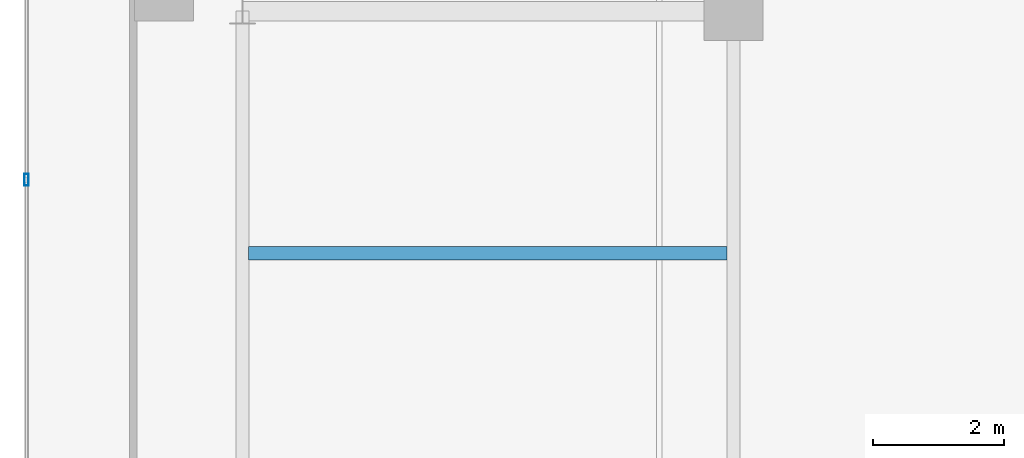
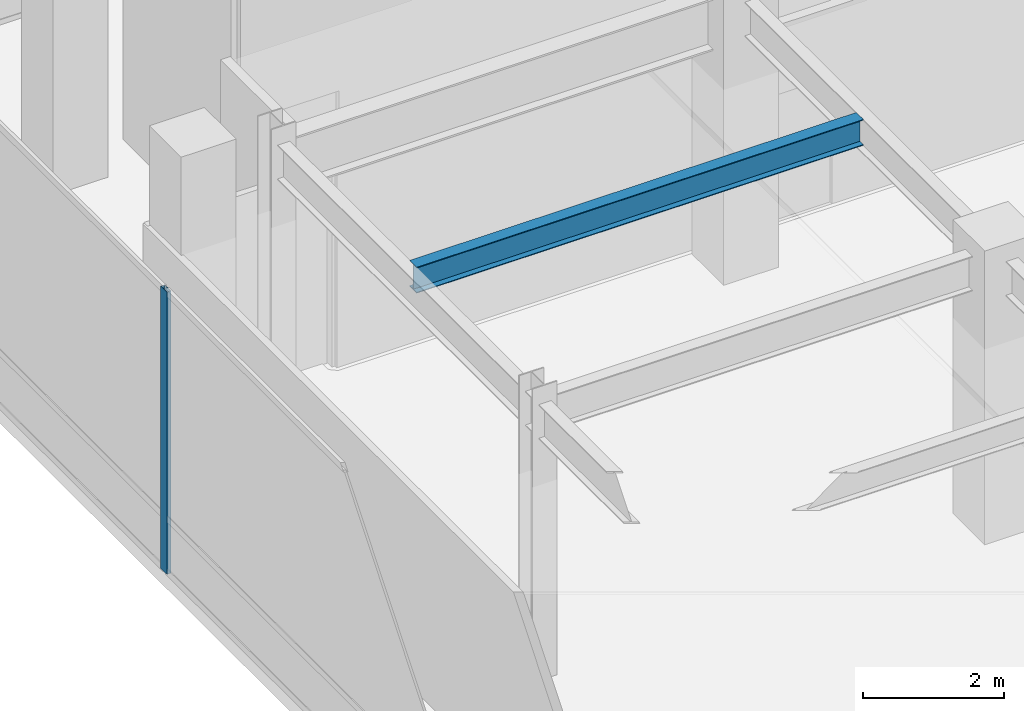
# One storey, part 11 of 40: 1 beam, 1 member, 1 element without a shape of its own.
"""IFC4 building model written with IfcOpenShell, lengths in metres."""

from ifc_helpers import new_model, si_unit, direction, frame, origin, origin_2d, place, context, subcontext, project, spatial, hollow_rectangle, i_section, extrude, material, layer, layer_set, material_profile, profile_set, type_object, element, aggregate, save


model = new_model("IFC4")

# Units and contexts
model_context = context("Model", 3, precision=1e-05, world=origin(), true_north=direction((0.0, 1.0)))
body_context = subcontext(model_context, "Body", "Model", "MODEL_VIEW")
ifc_project = project(units=[si_unit("LENGTHUNIT", "METRE"), si_unit("AREAUNIT", "SQUARE_METRE"), si_unit("VOLUMEUNIT", "CUBIC_METRE"), si_unit("PLANEANGLEUNIT", "RADIAN"), si_unit("MASSUNIT", "GRAM", prefix="KILO")], contexts=[model_context])

# Site, building, storey
site_placement = place(None, origin())
site = spatial("IfcSite", under=ifc_project, at=site_placement, CompositionType="ELEMENT")
building_placement = place(site_placement, origin())
building = spatial("IfcBuilding", under=site, at=building_placement, Name="Qianvela Tower", CompositionType="ELEMENT")
storey_placement = place(building_placement, frame((0.0, 0.0, 20.60009765625)))
storey = spatial("IfcBuildingStorey", under=building, at=storey_placement, Name="L04", CompositionType="ELEMENT", Elevation=20.60009765625)

# Beam
ifc_material_1 = material(Name="Steel Q355B", Category="steel")
ifc_material_profile_1 = material_profile(ifc_material_1, i_section(OverallWidth=0.199951171875, OverallDepth=0.449951171875, WebThickness=0.009033203125, FlangeThickness=0.013916015625, at=origin_2d()), Name="HN450x200x9x14")
ifc_profile_set_1 = profile_set([ifc_material_profile_1], Name="Steel Q355B")
beam_type = type_object("IfcBeamType", Name="BM-HN450-JOIST", PredefinedType="JOIST", material=ifc_profile_set_1)
beam_placement = place(storey_placement, frame((7.595947265625, 33.5, 4.572998046875), z_axis=(1.0, 0.0, 0.0), x_axis=(0.0, 1.0, 0.0)))
element("IfcBeam", 1, at=beam_placement, inside=storey, type_object=beam_type, Name="L04 Secondary Floor Joist 46", PredefinedType="JOIST", context=body_context, shape_type="SweptSolid", body=[
    extrude(i_section(OverallWidth=0.199951171875, OverallDepth=0.449951171875, WebThickness=0.009033203125, FlangeThickness=0.013916015625, at=origin_2d()), origin(), (0.0, 0.0, 1.0), 7.30810546875),
])

# Curtain wall, member
ifc_material_2 = material(Name="Anodised Architectural Aluminium and Low-E Glass", Category="aluminium")
ifc_layer = layer(ifc_material_2, 0.179931640625)
ifc_layer_set = layer_set([ifc_layer], Name="Anodised Architectural Aluminium and Low-E Glass")
curtain_wall_type = type_object("IfcCurtainWallType", Name="CW-COMMONS", PredefinedType="USERDEFINED", material=ifc_layer_set)
curtain_wall_placement = place(storey_placement, origin())
curtain_wall = element("IfcCurtainWall", 2, at=curtain_wall_placement, inside=storey, type_object=curtain_wall_type, Name="L04 CW-COMMONS Curtain Wall 07", ObjectType="CURTAIN_WALL_SYSTEM", PredefinedType="USERDEFINED")
ifc_material_3 = material(Name="Anodised Architectural Aluminium 6063-T6", Category="aluminium")
ifc_material_profile_2 = material_profile(ifc_material_3, hollow_rectangle(XDim=0.070068359375, YDim=0.179931640625, WallThickness=0.0048828125, at=origin_2d()), Name="ALU-MULL-70x180")
ifc_profile_set_2 = profile_set([ifc_material_profile_2], Name="Anodised Architectural Aluminium 6063-T6")
member_type = type_object("IfcMemberType", Name="CW-COMMONS-MULL", PredefinedType="MULLION", material=ifc_profile_set_2)
member_placement = place(storey_placement, frame((4.199951171875, 34.625, 0.0), z_axis=(0.0, 0.0, 1.0), x_axis=(1.0, 0.0, 0.0)))
member = element("IfcMember", 3, at=member_placement, type_object=member_type, Name="CW-2 mullion 2", PredefinedType="MULLION", context=body_context, shape_type="SweptSolid", body=[
    extrude(hollow_rectangle(XDim=0.070068359375, YDim=0.179931640625, WallThickness=0.0048828125, at=origin_2d()), origin(), (0.0, 0.0, 1.0), 4.8798828125),
])
aggregate(curtain_wall, [member])

save(model, "model.ifc")
